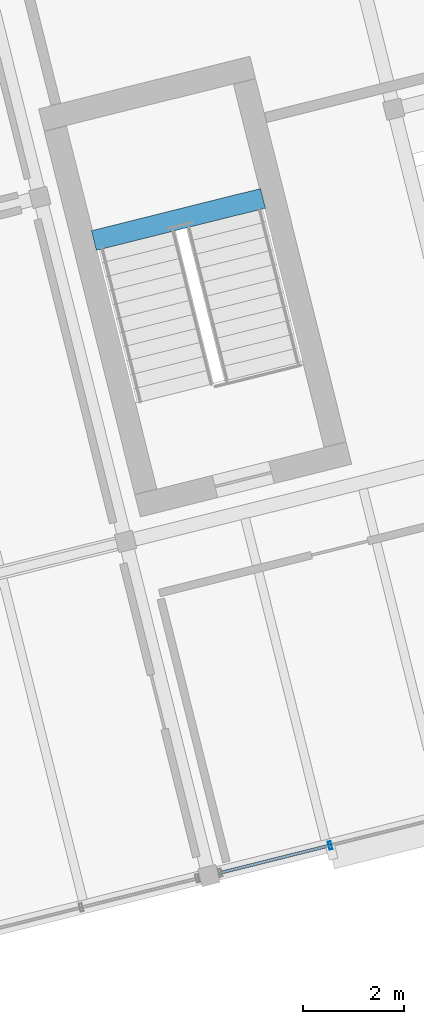
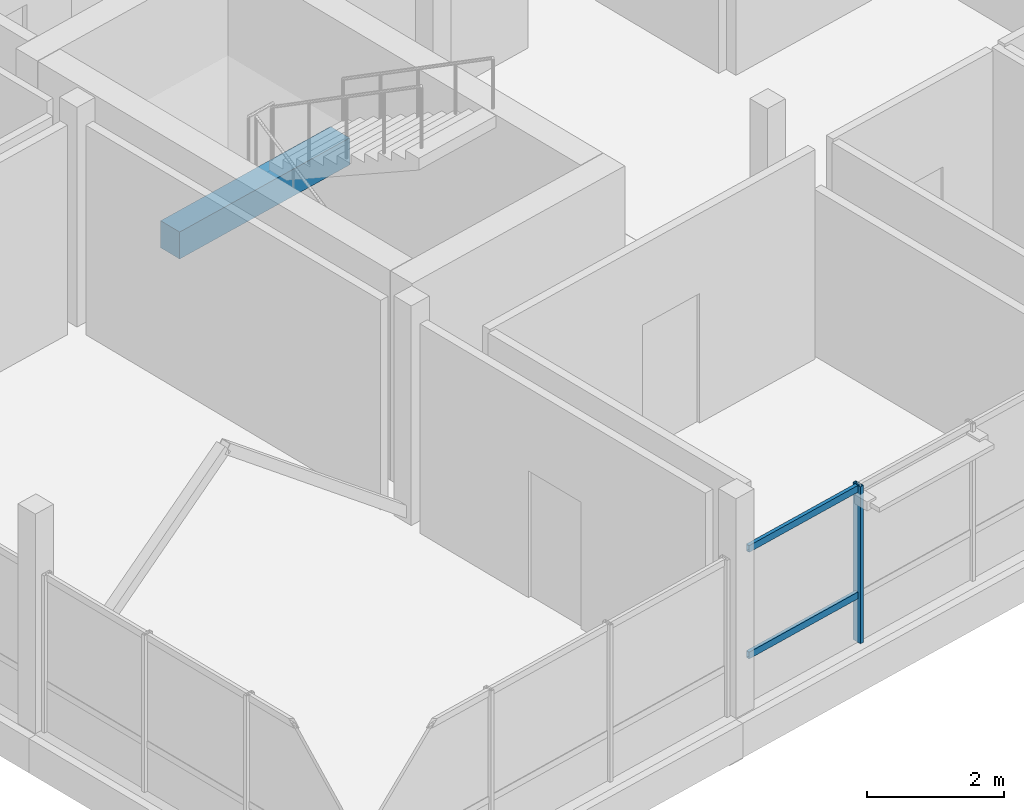
# One storey, part 4 of 28: 3 members, 1 beam, 1 element without a shape of its own.
"""IFC4 building model written with IfcOpenShell, lengths in metres."""

from ifc_helpers import new_model, si_unit, direction, frame, origin, origin_2d, place, context, subcontext, project, spatial, rectangle, hollow_rectangle, extrude, material, layer, layer_set, material_profile, profile_set, type_object, element, aggregate, save


model = new_model("IFC4")

# Units and contexts
model_context = context("Model", 3, precision=1e-05, world=origin(), true_north=direction((0.0, 1.0)))
body_context = subcontext(model_context, "Body", "Model", "MODEL_VIEW")
ifc_project = project(units=[si_unit("LENGTHUNIT", "METRE"), si_unit("AREAUNIT", "SQUARE_METRE"), si_unit("VOLUMEUNIT", "CUBIC_METRE"), si_unit("PLANEANGLEUNIT", "RADIAN"), si_unit("MASSUNIT", "GRAM", prefix="KILO")], contexts=[model_context])

# Site, building, storey
site_placement = place(None, origin())
site = spatial("IfcSite", under=ifc_project, at=site_placement, CompositionType="ELEMENT")
building_placement = place(site_placement, origin())
building = spatial("IfcBuilding", under=site, at=building_placement, Name="Meriwether Solvik Hall", CompositionType="ELEMENT")
storey_placement = place(building_placement, frame((0.0, 0.0, 45.60009765625)))
storey = spatial("IfcBuildingStorey", under=building, at=storey_placement, Name="L11", CompositionType="ELEMENT", Elevation=45.60009765625)

# Beam
ifc_material_1 = material(Name="Concrete C40/50", Category="concrete")
ifc_material_profile_1 = material_profile(ifc_material_1, rectangle(XDim=0.39990234375, YDim=0.47998046875, at=origin_2d()), Name="RCB-400X480")
ifc_profile_set_1 = profile_set([ifc_material_profile_1], Name="Concrete C40/50")
beam_type = type_object("IfcBeamType", Name="BM-LND-RC-400X480", PredefinedType="BEAM", material=ifc_profile_set_1)
beam_placement = place(storey_placement, frame((73.70361328125, 55.57666015625, 1.510009765625), z_axis=(0.970288447449, 0.24195108751, 0.0), x_axis=(-0.24195108751, 0.970288447449, 0.0)))
element("IfcBeam", 1, at=beam_placement, inside=storey, type_object=beam_type, Name="Stair ST-01 Half-Landing Header Beam (L11)", PredefinedType="BEAM", context=body_context, shape_type="SweptSolid", body=[
    extrude(rectangle(XDim=0.39990234375, YDim=0.47998046875, at=origin_2d()), origin(), (0.0, 0.0, 1.0), 3.43994140625),
])

# Curtain wall, members
ifc_material_2 = material(Name="Thermally Broken Anodised Aluminium 6063-T6 and Low-E Glass", Category="aluminium")
ifc_layer = layer(ifc_material_2, 0.179931640625)
ifc_layer_set = layer_set([ifc_layer], Name="Thermally Broken Anodised Aluminium 6063-T6 and Low-E Glass")
curtain_wall_type = type_object("IfcCurtainWallType", Name="CW-UNIT-C", PredefinedType="USERDEFINED", material=ifc_layer_set)
curtain_wall_placement = place(storey_placement, origin())
curtain_wall = element("IfcCurtainWall", 2, at=curtain_wall_placement, inside=storey, type_object=curtain_wall_type, Name="Curtain Wall E0_B1 (L11)", ObjectType="UNITISED CURTAIN WALL", PredefinedType="USERDEFINED")
ifc_material_3 = material(Name="Anodised Aluminium 6063-T6", Category="aluminium")
ifc_material_profile_2 = material_profile(ifc_material_3, hollow_rectangle(XDim=0.06005859375, YDim=0.159912109375, WallThickness=0.00390625, at=origin_2d()), Name="CWM-60X160")
ifc_profile_set_2 = profile_set([ifc_material_profile_2], Name="Anodised Aluminium 6063-T6")
member_type_1 = type_object("IfcMemberType", Name="CW-MUL-60X160", PredefinedType="MULLION", material=ifc_profile_set_2)
member_1_placement = place(storey_placement, frame((78.365966796875, 43.635009765625, 0.0), z_axis=(0.0, 0.0, 1.0), x_axis=(-0.970295725693, -0.241921897937, 0.0)))
member_1 = element("IfcMember", 3, at=member_1_placement, type_object=member_type_1, Name="Curtain Wall Mullion 3", PredefinedType="MULLION", context=body_context, shape_type="SweptSolid", body=[
    extrude(hollow_rectangle(XDim=0.06005859375, YDim=0.159912109375, WallThickness=0.00390625, at=origin_2d()), origin(), (0.0, 0.0, 1.0), 2.789794921875),
])
ifc_material_4 = material(Name="Anodised Aluminium 6063-T6", Category="aluminium")
ifc_material_profile_3 = material_profile(ifc_material_4, hollow_rectangle(XDim=0.06005859375, YDim=0.1201171875, WallThickness=0.00390625, at=origin_2d()), Name="CWT-60X120")
ifc_profile_set_3 = profile_set([ifc_material_profile_3], Name="Anodised Aluminium 6063-T6")
member_type_2 = type_object("IfcMemberType", Name="CW-TRN-60X120", PredefinedType="USERDEFINED", material=ifc_profile_set_3)
member_2_placement = place(storey_placement, frame((78.365966796875, 43.635009765625, 0.8369140625), z_axis=(-0.970296702868, -0.241917978668, 0.0), x_axis=(0.241917978668, -0.970296702868, 0.0)))
member_2 = element("IfcMember", 4, at=member_2_placement, type_object=member_type_2, Name="Curtain Wall Transom 3-sill", ObjectType="TRANSOM", PredefinedType="USERDEFINED", context=body_context, shape_type="SweptSolid", body=[
    extrude(hollow_rectangle(XDim=0.06005859375, YDim=0.1201171875, WallThickness=0.00390625, at=origin_2d()), origin(), (0.0, 0.0, 1.0), 2.232421875),
])
member_3_placement = place(storey_placement, frame((78.365966796875, 43.635009765625, 2.72998046875), z_axis=(-0.970296702868, -0.241917978668, 0.0), x_axis=(0.241917978668, -0.970296702868, 0.0)))
member_3 = element("IfcMember", 5, at=member_3_placement, type_object=member_type_2, Name="Curtain Wall Transom 3-head", ObjectType="TRANSOM", PredefinedType="USERDEFINED", context=body_context, shape_type="SweptSolid", body=[
    extrude(hollow_rectangle(XDim=0.06005859375, YDim=0.1201171875, WallThickness=0.00390625, at=origin_2d()), origin(), (0.0, 0.0, 1.0), 2.232421875),
])
aggregate(curtain_wall, [member_1, member_2, member_3])

save(model, "model.ifc")
